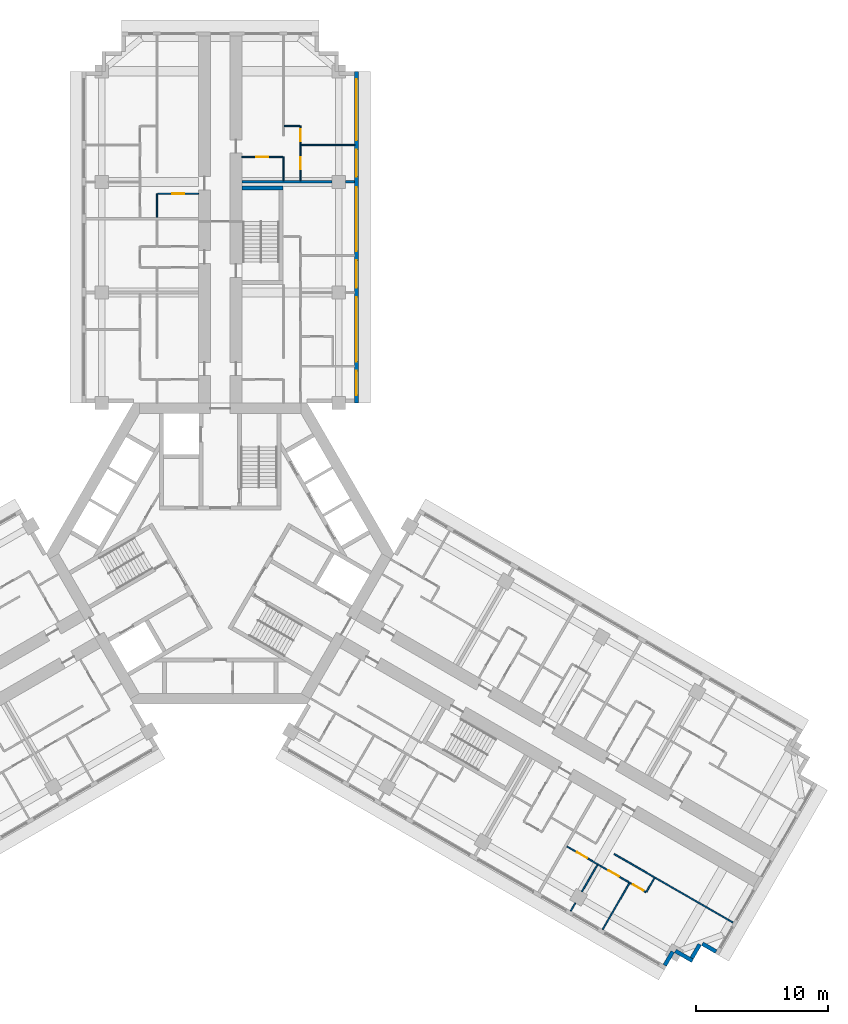
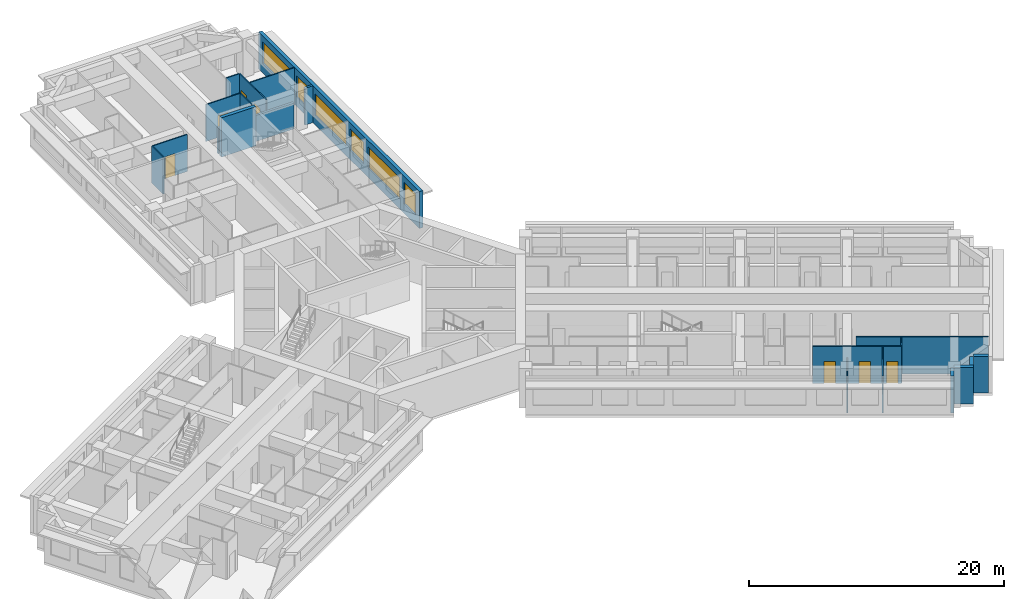
# One storey, part 10 of 14: 21 walls, 7 doors, 6 windows, 13 openings.
"""IFC4 building model written with IfcOpenShell, lengths in metres."""

from ifc_helpers import new_model, si_unit, direction, frame, frame_2d, origin, place, context, subcontext, project, spatial, rectangle, extrude, material, layer, layer_set, type_object, element, fill, save


model = new_model("IFC4")

# Units and contexts
model_context = context("Model", 3, precision=1e-05, world=origin(), true_north=direction((0.0, 1.0)))
body_context = subcontext(model_context, "Body", "Model", "MODEL_VIEW")
ifc_project = project(units=[si_unit("LENGTHUNIT", "METRE"), si_unit("AREAUNIT", "SQUARE_METRE"), si_unit("VOLUMEUNIT", "CUBIC_METRE"), si_unit("PLANEANGLEUNIT", "RADIAN"), si_unit("MASSUNIT", "GRAM", prefix="KILO")], contexts=[model_context])

# Site, building, storey
site_placement = place(None, origin())
site = spatial("IfcSite", under=ifc_project, at=site_placement, CompositionType="ELEMENT")
building_placement = place(site_placement, origin())
building = spatial("IfcBuilding", under=site, at=building_placement, Name="Impinga Residences", CompositionType="ELEMENT")
storey_placement = place(building_placement, frame((0.0, 0.0, 147.25)))
storey = spatial("IfcBuildingStorey", under=building, at=storey_placement, Name="L36", CompositionType="ELEMENT", Elevation=147.25)

# Walls
ifc_material_1 = material(Name="Terracotta rainscreen on blockwork", Category="masonry")
ifc_layer_1 = layer(ifc_material_1, 0.300048828125)
ifc_layer_set_1 = layer_set([ifc_layer_1], Name="EW1 external wall, terracotta rainscreen on blockwork 300")
wall_type_1 = type_object("IfcWallType", Name="EW1 external wall, terracotta rainscreen on blockwork 300", PredefinedType="SOLIDWALL", material=ifc_layer_set_1)
wall_1_placement = place(storey_placement, frame((37.66162109375, -30.23095703125, 0.0), z_axis=(0.0, 0.0, 1.0), x_axis=(-0.866059708757, 0.499940577336, 0.0)))
element("IfcWall", 1, at=wall_1_placement, inside=storey, type_object=wall_type_1, Name="External wall EW1 L36", PredefinedType="SOLIDWALL", context=body_context, shape_type="SweptSolid", body=[
    extrude(rectangle(XDim=1.195068359375, YDim=0.300048828125, at=frame_2d((0.59765625, 0.0))), origin(), (0.0, 0.0, 1.0), 3.530029296875),
])
wall_2_placement = place(storey_placement, frame((36.41748046875, -29.68603515625, 0.0), z_axis=(0.0, 0.0, 1.0), x_axis=(-0.499969057507, -0.866043267704, 0.0)))
element("IfcWall", 2, at=wall_2_placement, inside=storey, type_object=wall_type_1, Name="External wall EW1 L36", PredefinedType="SOLIDWALL", context=body_context, shape_type="SweptSolid", body=[
    extrude(rectangle(XDim=1.19970703125, YDim=0.300048828125, at=frame_2d((0.599853515625, 0.0))), origin(), (0.0, 0.0, 1.0), 3.530029296875),
])
wall_3_placement = place(storey_placement, frame((35.87255859375, -30.93017578125, 0.0), z_axis=(0.0, 0.0, 1.0), x_axis=(-0.866031096941, 0.499990139034, 0.0)))
element("IfcWall", 3, at=wall_3_placement, inside=storey, type_object=wall_type_1, Name="External wall EW1 L36", PredefinedType="SOLIDWALL", context=body_context, shape_type="SweptSolid", body=[
    extrude(rectangle(XDim=1.5, YDim=0.300048828125, at=frame_2d((0.75, 0.0))), origin(), (0.0, 0.0, 1.0), 3.530029296875),
])
wall_4_placement = place(storey_placement, frame((34.365966796875, -30.2392578125, 0.0), z_axis=(0.0, 0.0, 1.0), x_axis=(-0.499940577336, -0.866059708757, 0.0)))
element("IfcWall", 4, at=wall_4_placement, inside=storey, type_object=wall_type_1, Name="External wall EW1 L36", PredefinedType="SOLIDWALL", context=body_context, shape_type="SweptSolid", body=[
    extrude(rectangle(XDim=1.195068359375, YDim=0.300048828125, at=frame_2d((0.59765625, 0.0))), origin(), (0.0, 0.0, 1.0), 3.530029296875),
])

# Wall, openings, windows
wall_5_placement = place(storey_placement, frame((10.35009765625, 36.631591796875, 0.0), z_axis=(0.0, 0.0, 1.0), x_axis=(0.0, -1.0, 0.0)))
wall_5 = element("IfcWall", 5, at=wall_5_placement, inside=storey, type_object=wall_type_1, Name="External wall EW1 L36", PredefinedType="SOLIDWALL", context=body_context, shape_type="SweptSolid", body=[
    extrude(rectangle(XDim=25.199951171875, YDim=0.300048828125, at=frame_2d((12.60009765625, 0.0))), origin(), (0.0, 0.0, 1.0), 3.530029296875),
])
opening_1_placement = place(wall_5_placement, frame((0.60009765625, 0.0, 0.89990234375)))
opening_1 = element("IfcOpeningElement", 6, at=opening_1_placement, cuts=wall_5, Name="Opening W10", PredefinedType="OPENING", context=body_context, shape_type="SweptSolid", body=[
    extrude(rectangle(XDim=4.64990234375, YDim=2.050048828125, at=frame_2d((2.324951171875, 1.02490234375))), frame((0.0, 0.159912109375, 0.0), z_axis=(0.0, -1.0, 0.0), x_axis=(1.0, 0.0, 0.0)), (0.0, 0.0, 1.0), 0.320068359375),
])
opening_2_placement = place(wall_5_placement, frame((5.949951171875, 0.0, 0.89990234375)))
opening_2 = element("IfcOpeningElement", 7, at=opening_2_placement, cuts=wall_5, Name="Opening W14", PredefinedType="OPENING", context=body_context, shape_type="SweptSolid", body=[
    extrude(rectangle(XDim=2.050048828125, YDim=2.050048828125, at=frame_2d((1.02490234375, 1.02490234375))), frame((0.0, 0.159912109375, 0.0), z_axis=(0.0, -1.0, 0.0), x_axis=(1.0, 0.0, 0.0)), (0.0, 0.0, 1.0), 0.320068359375),
])
opening_3_placement = place(wall_5_placement, frame((8.800048828125, 0.0, 0.89990234375)))
opening_3 = element("IfcOpeningElement", 8, at=opening_3_placement, cuts=wall_5, Name="Opening W6", PredefinedType="OPENING", context=body_context, shape_type="SweptSolid", body=[
    extrude(rectangle(XDim=4.85009765625, YDim=2.050048828125, at=frame_2d((2.425048828125, 1.02490234375))), frame((0.0, 0.159912109375, 0.0), z_axis=(0.0, -1.0, 0.0), x_axis=(1.0, 0.0, 0.0)), (0.0, 0.0, 1.0), 0.320068359375),
])
opening_4_placement = place(wall_5_placement, frame((14.35009765625, 0.0, 0.89990234375)))
opening_4 = element("IfcOpeningElement", 9, at=opening_4_placement, cuts=wall_5, Name="Opening W9", PredefinedType="OPENING", context=body_context, shape_type="SweptSolid", body=[
    extrude(rectangle(XDim=2.10009765625, YDim=2.050048828125, at=frame_2d((1.050048828125, 1.02490234375))), frame((0.0, 0.159912109375, 0.0), z_axis=(0.0, -1.0, 0.0), x_axis=(1.0, 0.0, 0.0)), (0.0, 0.0, 1.0), 0.320068359375),
])
opening_5_placement = place(wall_5_placement, frame((17.14990234375, 0.0, 0.89990234375)))
opening_5 = element("IfcOpeningElement", 10, at=opening_5_placement, cuts=wall_5, Name="Opening W16", PredefinedType="OPENING", context=body_context, shape_type="SweptSolid", body=[
    extrude(rectangle(XDim=4.89990234375, YDim=2.050048828125, at=frame_2d((2.449951171875, 1.02490234375))), frame((0.0, 0.159912109375, 0.0), z_axis=(0.0, -1.0, 0.0), x_axis=(1.0, 0.0, 0.0)), (0.0, 0.0, 1.0), 0.320068359375),
])
opening_6_placement = place(wall_5_placement, frame((22.75, 0.0, 0.89990234375)))
opening_6 = element("IfcOpeningElement", 11, at=opening_6_placement, cuts=wall_5, Name="Opening W15", PredefinedType="OPENING", context=body_context, shape_type="SweptSolid", body=[
    extrude(rectangle(XDim=1.85009765625, YDim=2.050048828125, at=frame_2d((0.925048828125, 1.02490234375))), frame((0.0, 0.159912109375, 0.0), z_axis=(0.0, -1.0, 0.0), x_axis=(1.0, 0.0, 0.0)), (0.0, 0.0, 1.0), 0.320068359375),
])
ifc_material_2 = material(Name="Aluminium window, clear double glazing", Category="aluminium")
window_type_1 = type_object("IfcWindowType", Name="W10 ribbon window 4650x2050", PartitioningType="SINGLE_PANEL", PredefinedType="WINDOW", material=ifc_material_2)
window_1_placement = place(opening_1_placement, origin())
window_1 = element("IfcWindow", 12, at=window_1_placement, inside=storey, type_object=window_type_1, Name="Window L36", OverallHeight=2.050048828125, OverallWidth=4.64990234375, PartitioningType="SINGLE_PANEL", PredefinedType="WINDOW", context=body_context, shape_type="SweptSolid", body=[
    extrude(rectangle(XDim=4.64990234375, YDim=2.050048828125, at=frame_2d((2.324951171875, 1.02490234375))), frame((0.0, 0.030029296875, 0.0), z_axis=(0.0, -1.0, 0.0), x_axis=(1.0, 0.0, 0.0)), (0.0, 0.0, 1.0), 0.06005859375),
])
fill(opening_1, window_1)
window_type_2 = type_object("IfcWindowType", Name="W14 ribbon window 2050x2050", PartitioningType="SINGLE_PANEL", PredefinedType="WINDOW", material=ifc_material_2)
window_2_placement = place(opening_2_placement, origin())
window_2 = element("IfcWindow", 13, at=window_2_placement, inside=storey, type_object=window_type_2, Name="Window L36", OverallHeight=2.050048828125, OverallWidth=2.050048828125, PartitioningType="SINGLE_PANEL", PredefinedType="WINDOW", context=body_context, shape_type="SweptSolid", body=[
    extrude(rectangle(XDim=2.050048828125, YDim=2.050048828125, at=frame_2d((1.02490234375, 1.02490234375))), frame((0.0, 0.030029296875, 0.0), z_axis=(0.0, -1.0, 0.0), x_axis=(1.0, 0.0, 0.0)), (0.0, 0.0, 1.0), 0.06005859375),
])
fill(opening_2, window_2)
window_type_3 = type_object("IfcWindowType", Name="W15 ribbon window 1850x2050", PartitioningType="SINGLE_PANEL", PredefinedType="WINDOW", material=ifc_material_2)
window_3_placement = place(opening_6_placement, origin())
window_3 = element("IfcWindow", 14, at=window_3_placement, inside=storey, type_object=window_type_3, Name="Window L36", OverallHeight=2.050048828125, OverallWidth=1.85009765625, PartitioningType="SINGLE_PANEL", PredefinedType="WINDOW", context=body_context, shape_type="SweptSolid", body=[
    extrude(rectangle(XDim=1.85009765625, YDim=2.050048828125, at=frame_2d((0.925048828125, 1.02490234375))), frame((0.0, 0.030029296875, 0.0), z_axis=(0.0, -1.0, 0.0), x_axis=(1.0, 0.0, 0.0)), (0.0, 0.0, 1.0), 0.06005859375),
])
fill(opening_6, window_3)
window_type_4 = type_object("IfcWindowType", Name="W16 ribbon window 4900x2050", PartitioningType="SINGLE_PANEL", PredefinedType="WINDOW", material=ifc_material_2)
window_4_placement = place(opening_5_placement, origin())
window_4 = element("IfcWindow", 15, at=window_4_placement, inside=storey, type_object=window_type_4, Name="Window L36", OverallHeight=2.050048828125, OverallWidth=4.89990234375, PartitioningType="SINGLE_PANEL", PredefinedType="WINDOW", context=body_context, shape_type="SweptSolid", body=[
    extrude(rectangle(XDim=4.89990234375, YDim=2.050048828125, at=frame_2d((2.449951171875, 1.02490234375))), frame((0.0, 0.030029296875, 0.0), z_axis=(0.0, -1.0, 0.0), x_axis=(1.0, 0.0, 0.0)), (0.0, 0.0, 1.0), 0.06005859375),
])
fill(opening_5, window_4)
window_type_5 = type_object("IfcWindowType", Name="W6 ribbon window 4850x2050", PartitioningType="SINGLE_PANEL", PredefinedType="WINDOW", material=ifc_material_2)
window_5_placement = place(opening_3_placement, origin())
window_5 = element("IfcWindow", 16, at=window_5_placement, inside=storey, type_object=window_type_5, Name="Window L36", OverallHeight=2.050048828125, OverallWidth=4.85009765625, PartitioningType="SINGLE_PANEL", PredefinedType="WINDOW", context=body_context, shape_type="SweptSolid", body=[
    extrude(rectangle(XDim=4.85009765625, YDim=2.050048828125, at=frame_2d((2.425048828125, 1.02490234375))), frame((0.0, 0.030029296875, 0.0), z_axis=(0.0, -1.0, 0.0), x_axis=(1.0, 0.0, 0.0)), (0.0, 0.0, 1.0), 0.06005859375),
])
fill(opening_3, window_5)
window_type_6 = type_object("IfcWindowType", Name="W9 ribbon window 2100x2050", PartitioningType="SINGLE_PANEL", PredefinedType="WINDOW", material=ifc_material_2)
window_6_placement = place(opening_4_placement, origin())
window_6 = element("IfcWindow", 17, at=window_6_placement, inside=storey, type_object=window_type_6, Name="Window L36", OverallHeight=2.050048828125, OverallWidth=2.10009765625, PartitioningType="SINGLE_PANEL", PredefinedType="WINDOW", context=body_context, shape_type="SweptSolid", body=[
    extrude(rectangle(XDim=2.10009765625, YDim=2.050048828125, at=frame_2d((1.050048828125, 1.02490234375))), frame((0.0, 0.030029296875, 0.0), z_axis=(0.0, -1.0, 0.0), x_axis=(1.0, 0.0, 0.0)), (0.0, 0.0, 1.0), 0.06005859375),
])
fill(opening_4, window_6)

# Wall
ifc_material_3 = material(Name="Gypsum board on steel studs", Category="steel")
ifc_layer_2 = layer(ifc_material_3, 0.10009765625)
ifc_layer_set_2 = layer_set([ifc_layer_2], Name="Gypsum board on steel studs")
wall_type_2 = type_object("IfcWallType", Name="IP1 partition 100", PredefinedType="PARTITIONING", material=ifc_layer_set_2)
wall_6_placement = place(storey_placement, frame((-4.800048828125, 25.531494140625, 0.0), z_axis=(0.0, 0.0, 1.0), x_axis=(0.0, 1.0, 0.0)))
element("IfcWall", 18, at=wall_6_placement, inside=storey, type_object=wall_type_2, Name="Partition L36-NA3:DIV0", PredefinedType="PARTITIONING", context=body_context, shape_type="SweptSolid", body=[
    extrude(rectangle(XDim=1.800048828125, YDim=0.10009765625, at=frame_2d((0.89990234375, 0.0))), origin(), (0.0, 0.0, 1.0), 3.530029296875),
])

# Wall, opening, door
wall_7_placement = place(storey_placement, frame((-1.64990234375, 27.33154296875, 0.0), z_axis=(0.0, 0.0, 1.0), x_axis=(-1.0, 0.0, 0.0)))
wall_7 = element("IfcWall", 19, at=wall_7_placement, inside=storey, type_object=wall_type_2, Name="Partition L36-NA3:IB1", PredefinedType="PARTITIONING", context=body_context, shape_type="SweptSolid", body=[
    extrude(rectangle(XDim=3.10009765625, YDim=0.10009765625, at=frame_2d((1.550048828125, 0.0))), origin(), (0.0, 0.0, 1.0), 3.530029296875),
])
opening_7_placement = place(wall_7_placement, frame((1.10009765625, 0.0, 0.0)))
opening_7 = element("IfcOpeningElement", 20, at=opening_7_placement, cuts=wall_7, Name="Opening D2", PredefinedType="OPENING", context=body_context, shape_type="SweptSolid", body=[
    extrude(rectangle(XDim=0.89990234375, YDim=2.10009765625, at=frame_2d((0.449951171875, 1.050048828125))), frame((0.0, 0.06005859375, 0.0), z_axis=(0.0, -1.0, 0.0), x_axis=(1.0, 0.0, 0.0)), (0.0, 0.0, 1.0), 0.1201171875),
])
ifc_material_4 = material(Name="Timber door set", Category="wood")
door_type = type_object("IfcDoorType", Name="D2 internal door 900x2100", OperationType="SINGLE_SWING_LEFT", PredefinedType="DOOR", material=ifc_material_4)
door_1_placement = place(opening_7_placement, origin())
door_1 = element("IfcDoor", 21, at=door_1_placement, inside=storey, type_object=door_type, Name="Apartment L36-NA3 bathroom door", OperationType="SINGLE_SWING_LEFT", OverallHeight=2.10009765625, OverallWidth=0.89990234375, PredefinedType="DOOR", context=body_context, shape_type="SweptSolid", body=[
    extrude(rectangle(XDim=0.89990234375, YDim=2.10009765625, at=frame_2d((0.449951171875, 1.050048828125))), frame((0.0, 0.02490234375, 0.0), z_axis=(0.0, -1.0, 0.0), x_axis=(1.0, 0.0, 0.0)), (0.0, 0.0, 1.0), 0.050048828125),
])
fill(opening_7, door_1)

# Wall
wall_8_placement = place(storey_placement, frame((4.800048828125, 28.33154296875, 0.0), z_axis=(0.0, 0.0, 1.0), x_axis=(0.0, 1.0, 0.0)))
element("IfcWall", 22, at=wall_8_placement, inside=storey, type_object=wall_type_2, Name="Partition L36-NF2:DIV0", PredefinedType="PARTITIONING", context=body_context, shape_type="SweptSolid", body=[
    extrude(rectangle(XDim=1.800048828125, YDim=0.10009765625, at=frame_2d((0.89990234375, 0.0))), origin(), (0.0, 0.0, 1.0), 3.530029296875),
])

# Wall, openings, doors
wall_9_placement = place(storey_placement, frame((6.10009765625, 28.33154296875, 0.0), z_axis=(0.0, 0.0, 1.0), x_axis=(0.0, 1.0, 0.0)))
wall_9 = element("IfcWall", 23, at=wall_9_placement, inside=storey, type_object=wall_type_2, Name="Partition L36-NF2:STRIP", PredefinedType="PARTITIONING", context=body_context, shape_type="SweptSolid", body=[
    extrude(rectangle(XDim=4.14990234375, YDim=0.10009765625, at=frame_2d((2.074951171875, 0.0))), origin(), (0.0, 0.0, 1.0), 3.530029296875),
])
opening_8_placement = place(wall_9_placement, frame((0.875, 0.0, 0.0)))
opening_8 = element("IfcOpeningElement", 24, at=opening_8_placement, cuts=wall_9, Name="Opening D2", PredefinedType="OPENING", context=body_context, shape_type="SweptSolid", body=[
    extrude(rectangle(XDim=0.89990234375, YDim=2.10009765625, at=frame_2d((0.449951171875, 1.050048828125))), frame((0.0, 0.06005859375, 0.0), z_axis=(0.0, -1.0, 0.0), x_axis=(1.0, 0.0, 0.0)), (0.0, 0.0, 1.0), 0.1201171875),
])
opening_9_placement = place(wall_9_placement, frame((3.0, 0.0, 0.0)))
opening_9 = element("IfcOpeningElement", 25, at=opening_9_placement, cuts=wall_9, Name="Opening D2", PredefinedType="OPENING", context=body_context, shape_type="SweptSolid", body=[
    extrude(rectangle(XDim=0.89990234375, YDim=2.10009765625, at=frame_2d((0.449951171875, 1.050048828125))), frame((0.0, 0.06005859375, 0.0), z_axis=(0.0, -1.0, 0.0), x_axis=(1.0, 0.0, 0.0)), (0.0, 0.0, 1.0), 0.1201171875),
])
door_2_placement = place(opening_8_placement, origin())
door_2 = element("IfcDoor", 26, at=door_2_placement, inside=storey, type_object=door_type, Name="Apartment L36-NF2 room door", OperationType="SINGLE_SWING_LEFT", OverallHeight=2.10009765625, OverallWidth=0.89990234375, PredefinedType="DOOR", context=body_context, shape_type="SweptSolid", body=[
    extrude(rectangle(XDim=0.89990234375, YDim=2.10009765625, at=frame_2d((0.449951171875, 1.050048828125))), frame((0.0, 0.02490234375, 0.0), z_axis=(0.0, -1.0, 0.0), x_axis=(1.0, 0.0, 0.0)), (0.0, 0.0, 1.0), 0.050048828125),
])
fill(opening_8, door_2)
door_3_placement = place(opening_9_placement, origin())
door_3 = element("IfcDoor", 27, at=door_3_placement, inside=storey, type_object=door_type, Name="Apartment L36-NF2 room door", OperationType="SINGLE_SWING_RIGHT", OverallHeight=2.10009765625, OverallWidth=0.89990234375, PredefinedType="DOOR", context=body_context, shape_type="SweptSolid", body=[
    extrude(rectangle(XDim=0.89990234375, YDim=2.10009765625, at=frame_2d((0.449951171875, 1.050048828125))), frame((0.0, 0.02490234375, 0.0), z_axis=(0.0, -1.0, 0.0), x_axis=(1.0, 0.0, 0.0)), (0.0, 0.0, 1.0), 0.050048828125),
])
fill(opening_9, door_3)

# Wall
wall_10_placement = place(storey_placement, frame((4.85009765625, 32.4814453125, 0.0), z_axis=(0.0, 0.0, 1.0), x_axis=(1.0, 0.0, 0.0)))
element("IfcWall", 28, at=wall_10_placement, inside=storey, type_object=wall_type_2, Name="Partition L36-NF2:SE1", PredefinedType="PARTITIONING", context=body_context, shape_type="SweptSolid", body=[
    extrude(rectangle(XDim=1.199951171875, YDim=0.10009765625, at=frame_2d((0.60009765625, 0.0))), origin(), (0.0, 0.0, 1.0), 3.530029296875),
])

# Wall, opening, door
wall_11_placement = place(storey_placement, frame((1.64990234375, 30.131591796875, 0.0), z_axis=(0.0, 0.0, 1.0), x_axis=(1.0, 0.0, 0.0)))
wall_11 = element("IfcWall", 29, at=wall_11_placement, inside=storey, type_object=wall_type_2, Name="Partition L36-NF2:IB1", PredefinedType="PARTITIONING", context=body_context, shape_type="SweptSolid", body=[
    extrude(rectangle(XDim=3.10009765625, YDim=0.10009765625, at=frame_2d((1.550048828125, 0.0))), origin(), (0.0, 0.0, 1.0), 3.530029296875),
])
opening_10_placement = place(wall_11_placement, frame((1.10009765625, 0.0, 0.0)))
opening_10 = element("IfcOpeningElement", 30, at=opening_10_placement, cuts=wall_11, Name="Opening D2", PredefinedType="OPENING", context=body_context, shape_type="SweptSolid", body=[
    extrude(rectangle(XDim=0.89990234375, YDim=2.10009765625, at=frame_2d((0.449951171875, 1.050048828125))), frame((0.0, 0.06005859375, 0.0), z_axis=(0.0, -1.0, 0.0), x_axis=(1.0, 0.0, 0.0)), (0.0, 0.0, 1.0), 0.1201171875),
])
door_4_placement = place(opening_10_placement, origin())
door_4 = element("IfcDoor", 31, at=door_4_placement, inside=storey, type_object=door_type, Name="Apartment L36-NF2 bathroom door", OperationType="SINGLE_SWING_LEFT", OverallHeight=2.10009765625, OverallWidth=0.89990234375, PredefinedType="DOOR", context=body_context, shape_type="SweptSolid", body=[
    extrude(rectangle(XDim=0.89990234375, YDim=2.10009765625, at=frame_2d((0.449951171875, 1.050048828125))), frame((0.0, 0.02490234375, 0.0), z_axis=(0.0, -1.0, 0.0), x_axis=(1.0, 0.0, 0.0)), (0.0, 0.0, 1.0), 0.050048828125),
])
fill(opening_10, door_4)

# Walls
wall_12_placement = place(storey_placement, frame((6.14990234375, 31.031494140625, 0.0), z_axis=(0.0, 0.0, 1.0), x_axis=(1.0, 0.0, 0.0)))
element("IfcWall", 32, at=wall_12_placement, inside=storey, type_object=wall_type_2, Name="Partition L36-NF2:OB1", PredefinedType="PARTITIONING", context=body_context, shape_type="SweptSolid", body=[
    extrude(rectangle(XDim=4.050048828125, YDim=0.10009765625, at=frame_2d((2.02490234375, 0.0))), origin(), (0.0, 0.0, 1.0), 3.530029296875),
])
wall_13_placement = place(storey_placement, frame((29.93017578125, -22.82275390625, 0.0), z_axis=(0.0, 0.0, 1.0), x_axis=(0.866025696342, -0.499999493275, 0.0)))
element("IfcWall", 33, at=wall_13_placement, inside=storey, type_object=wall_type_2, Name="Partition L36-EF3:DIV1", PredefinedType="PARTITIONING", context=body_context, shape_type="SweptSolid", body=[
    extrude(rectangle(XDim=10.39990234375, YDim=0.10009765625, at=frame_2d((5.199951171875, 0.0))), origin(), (0.0, 0.0, 1.0), 3.530029296875),
])

# Wall, openings, doors
wall_14_placement = place(storey_placement, frame((26.335693359375, -22.24853515625, 0.0), z_axis=(0.0, 0.0, 1.0), x_axis=(0.866016523273, -0.500015381182, 0.0)))
wall_14 = element("IfcWall", 34, at=wall_14_placement, inside=storey, type_object=wall_type_2, Name="Partition L36-EF3:STRIP", PredefinedType="PARTITIONING", context=body_context, shape_type="SweptSolid", body=[
    extrude(rectangle(XDim=6.949951171875, YDim=0.10009765625, at=frame_2d((3.47509765625, 0.0))), origin(), (0.0, 0.0, 1.0), 3.530029296875),
])
opening_11_placement = place(wall_14_placement, frame((0.875, 0.0, 0.0)))
opening_11 = element("IfcOpeningElement", 35, at=opening_11_placement, cuts=wall_14, Name="Opening D2", PredefinedType="OPENING", context=body_context, shape_type="SweptSolid", body=[
    extrude(rectangle(XDim=0.89990234375, YDim=2.10009765625, at=frame_2d((0.449951171875, 1.050048828125))), frame((0.0, 0.06005859375, 0.0), z_axis=(0.0, -1.0, 0.0), x_axis=(1.0, 0.0, 0.0)), (0.0, 0.0, 1.0), 0.1201171875),
])
opening_12_placement = place(wall_14_placement, frame((3.64990234375, 0.0, 0.0)))
opening_12 = element("IfcOpeningElement", 36, at=opening_12_placement, cuts=wall_14, Name="Opening D2", PredefinedType="OPENING", context=body_context, shape_type="SweptSolid", body=[
    extrude(rectangle(XDim=0.89990234375, YDim=2.10009765625, at=frame_2d((0.449951171875, 1.050048828125))), frame((0.0, 0.06005859375, 0.0), z_axis=(0.0, -1.0, 0.0), x_axis=(1.0, 0.0, 0.0)), (0.0, 0.0, 1.0), 0.1201171875),
])
opening_13_placement = place(wall_14_placement, frame((5.800048828125, 0.0, 0.0)))
opening_13 = element("IfcOpeningElement", 37, at=opening_13_placement, cuts=wall_14, Name="Opening D2", PredefinedType="OPENING", context=body_context, shape_type="SweptSolid", body=[
    extrude(rectangle(XDim=0.89990234375, YDim=2.10009765625, at=frame_2d((0.449951171875, 1.050048828125))), frame((0.0, 0.06005859375, 0.0), z_axis=(0.0, -1.0, 0.0), x_axis=(1.0, 0.0, 0.0)), (0.0, 0.0, 1.0), 0.1201171875),
])
door_5_placement = place(opening_11_placement, origin())
door_5 = element("IfcDoor", 38, at=door_5_placement, inside=storey, type_object=door_type, Name="Apartment L36-EF3 room door", OperationType="SINGLE_SWING_LEFT", OverallHeight=2.10009765625, OverallWidth=0.89990234375, PredefinedType="DOOR", context=body_context, shape_type="SweptSolid", body=[
    extrude(rectangle(XDim=0.89990234375, YDim=2.10009765625, at=frame_2d((0.449951171875, 1.050048828125))), frame((0.0, 0.02490234375, 0.0), z_axis=(0.0, -1.0, 0.0), x_axis=(1.0, 0.0, 0.0)), (0.0, 0.0, 1.0), 0.050048828125),
])
fill(opening_11, door_5)
door_6_placement = place(opening_12_placement, origin())
door_6 = element("IfcDoor", 39, at=door_6_placement, inside=storey, type_object=door_type, Name="Apartment L36-EF3 room door", OperationType="SINGLE_SWING_RIGHT", OverallHeight=2.10009765625, OverallWidth=0.89990234375, PredefinedType="DOOR", context=body_context, shape_type="SweptSolid", body=[
    extrude(rectangle(XDim=0.89990234375, YDim=2.10009765625, at=frame_2d((0.449951171875, 1.050048828125))), frame((0.0, 0.02490234375, 0.0), z_axis=(0.0, -1.0, 0.0), x_axis=(1.0, 0.0, 0.0)), (0.0, 0.0, 1.0), 0.050048828125),
])
fill(opening_12, door_6)
door_7_placement = place(opening_13_placement, origin())
door_7 = element("IfcDoor", 40, at=door_7_placement, inside=storey, type_object=door_type, Name="Apartment L36-EF3 room door", OperationType="SINGLE_SWING_RIGHT", OverallHeight=2.10009765625, OverallWidth=0.89990234375, PredefinedType="DOOR", context=body_context, shape_type="SweptSolid", body=[
    extrude(rectangle(XDim=0.89990234375, YDim=2.10009765625, at=frame_2d((0.449951171875, 1.050048828125))), frame((0.0, 0.02490234375, 0.0), z_axis=(0.0, -1.0, 0.0), x_axis=(1.0, 0.0, 0.0)), (0.0, 0.0, 1.0), 0.050048828125),
])
fill(opening_13, door_7)

# Walls
wall_15_placement = place(storey_placement, frame((32.9794921875, -24.640869140625, 0.0), z_axis=(0.0, 0.0, 1.0), x_axis=(-0.500033551112, -0.866006032174, 0.0)))
element("IfcWall", 41, at=wall_15_placement, inside=storey, type_object=wall_type_2, Name="Partition L36-EF3:SE1", PredefinedType="PARTITIONING", context=body_context, shape_type="SweptSolid", body=[
    extrude(rectangle(XDim=1.2001953125, YDim=0.10009765625, at=frame_2d((0.60009765625, 0.0))), origin(), (0.0, 0.0, 1.0), 3.530029296875),
])
wall_16_placement = place(storey_placement, frame((28.64892578125, -23.641845703125, 0.0), z_axis=(0.0, 0.0, 1.0), x_axis=(-0.500016218704, -0.866016039709, 0.0)))
element("IfcWall", 42, at=wall_16_placement, inside=storey, type_object=wall_type_2, Name="Partition L36-EF3:OB1", PredefinedType="PARTITIONING", context=body_context, shape_type="SweptSolid", body=[
    extrude(rectangle(XDim=2.35009765625, YDim=0.10009765625, at=frame_2d((1.175048828125, 0.0))), origin(), (0.0, 0.0, 1.0), 2.47998046875),
])
wall_17_placement = place(storey_placement, frame((26.973876953125, -26.54296875, 0.0), z_axis=(0.0, 0.0, 1.0), x_axis=(-0.500114896893, -0.865959057869, 0.0)))
element("IfcWall", 43, at=wall_17_placement, inside=storey, type_object=wall_type_2, Name="Partition L36-EF3:OB1b", PredefinedType="PARTITIONING", context=body_context, shape_type="SweptSolid", body=[
    extrude(rectangle(XDim=0.699951171875, YDim=0.10009765625, at=frame_2d((0.35009765625, 0.0))), origin(), (0.0, 0.0, 1.0), 3.530029296875),
])
wall_18_placement = place(storey_placement, frame((31.07373046875, -25.041748046875, 0.0), z_axis=(0.0, 0.0, 1.0), x_axis=(-0.499964223975, -0.866046058097, 0.0)))
element("IfcWall", 44, at=wall_18_placement, inside=storey, type_object=wall_type_2, Name="Partition L36-EF3:OB2", PredefinedType="PARTITIONING", context=body_context, shape_type="SweptSolid", body=[
    extrude(rectangle(XDim=4.050048828125, YDim=0.10009765625, at=frame_2d((2.02490234375, 0.0))), origin(), (0.0, 0.0, 1.0), 3.530029296875),
])
ifc_material_5 = material(Name="Concrete blockwork", Category="masonry")
ifc_layer_3 = layer(ifc_material_5, 0.199951171875)
ifc_layer_set_3 = layer_set([ifc_layer_3], Name="PW1 party wall between apartments 200")
wall_type_3 = type_object("IfcWallType", Name="PW1 party wall between apartments 200", PredefinedType="SOLIDWALL", material=ifc_layer_set_3)
wall_19_placement = place(storey_placement, frame((1.64990234375, 28.2314453125, 0.0), z_axis=(0.0, 0.0, 1.0), x_axis=(1.0, 0.0, 0.0)))
element("IfcWall", 45, at=wall_19_placement, inside=storey, type_object=wall_type_3, Name="Party wall between apartments L36-NF1:PARTY", PredefinedType="SOLIDWALL", context=body_context, shape_type="SweptSolid", body=[
    extrude(rectangle(XDim=6.85009765625, YDim=0.199951171875, at=frame_2d((3.425048828125, 0.0))), origin(), (0.0, 0.0, 1.0), 2.47998046875),
])
wall_20_placement = place(storey_placement, frame((9.5, 28.2314453125, 0.0), z_axis=(0.0, 0.0, 1.0), x_axis=(1.0, 0.0, 0.0)))
element("IfcWall", 46, at=wall_20_placement, inside=storey, type_object=wall_type_3, Name="Party wall between apartments L36-NF1:PARTYb", PredefinedType="SOLIDWALL", context=body_context, shape_type="SweptSolid", body=[
    extrude(rectangle(XDim=0.699951171875, YDim=0.199951171875, at=frame_2d((0.35009765625, 0.0))), origin(), (0.0, 0.0, 1.0), 3.530029296875),
])
ifc_material_6 = material(Name="Concrete C60/75", Category="concrete")
ifc_layer_4 = layer(ifc_material_6, 0.300048828125)
ifc_layer_set_4 = layer_set([ifc_layer_4], Name="Concrete C60/75")
wall_type_4 = type_object("IfcWallType", Name="SE1 wing stair enclosure wall 300", PredefinedType="SOLIDWALL", material=ifc_layer_set_4)
wall_21_placement = place(storey_placement, frame((1.64990234375, 27.781494140625, 0.0), z_axis=(0.0, 0.0, 1.0), x_axis=(1.0, 0.0, 0.0)))
element("IfcWall", 47, at=wall_21_placement, inside=storey, type_object=wall_type_4, Name="Stair enclosure wall SE1 N END1 L36", PredefinedType="SOLIDWALL", context=body_context, shape_type="SweptSolid", body=[
    extrude(rectangle(XDim=3.10009765625, YDim=0.300048828125, at=frame_2d((1.550048828125, 0.0))), origin(), (0.0, 0.0, 1.0), 3.75),
])

save(model, "model.ifc")
